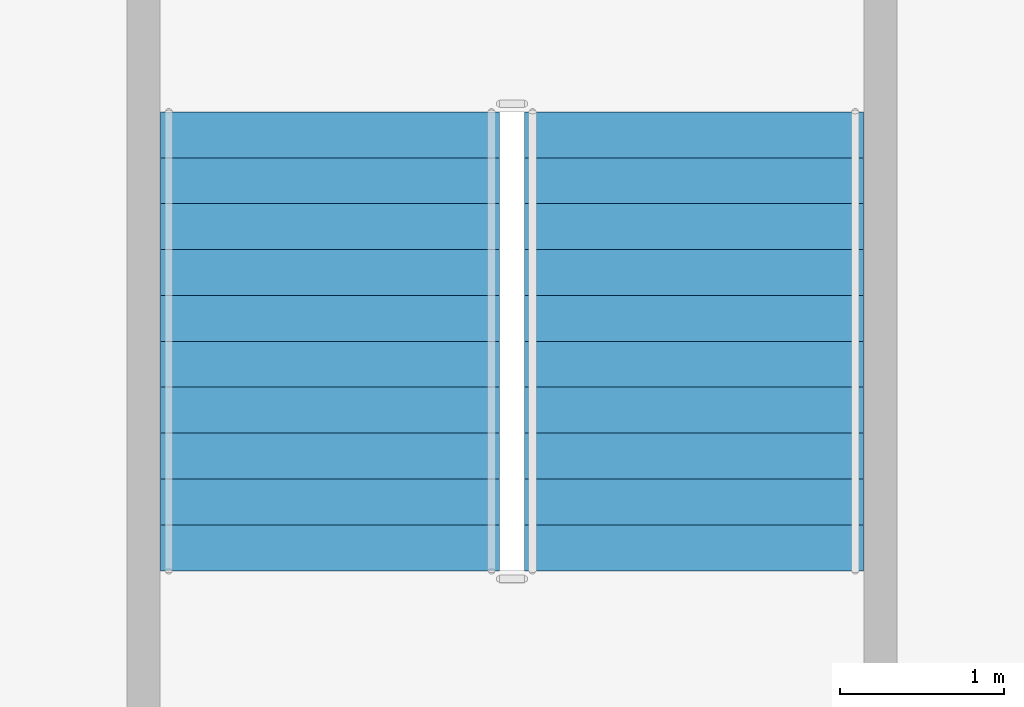
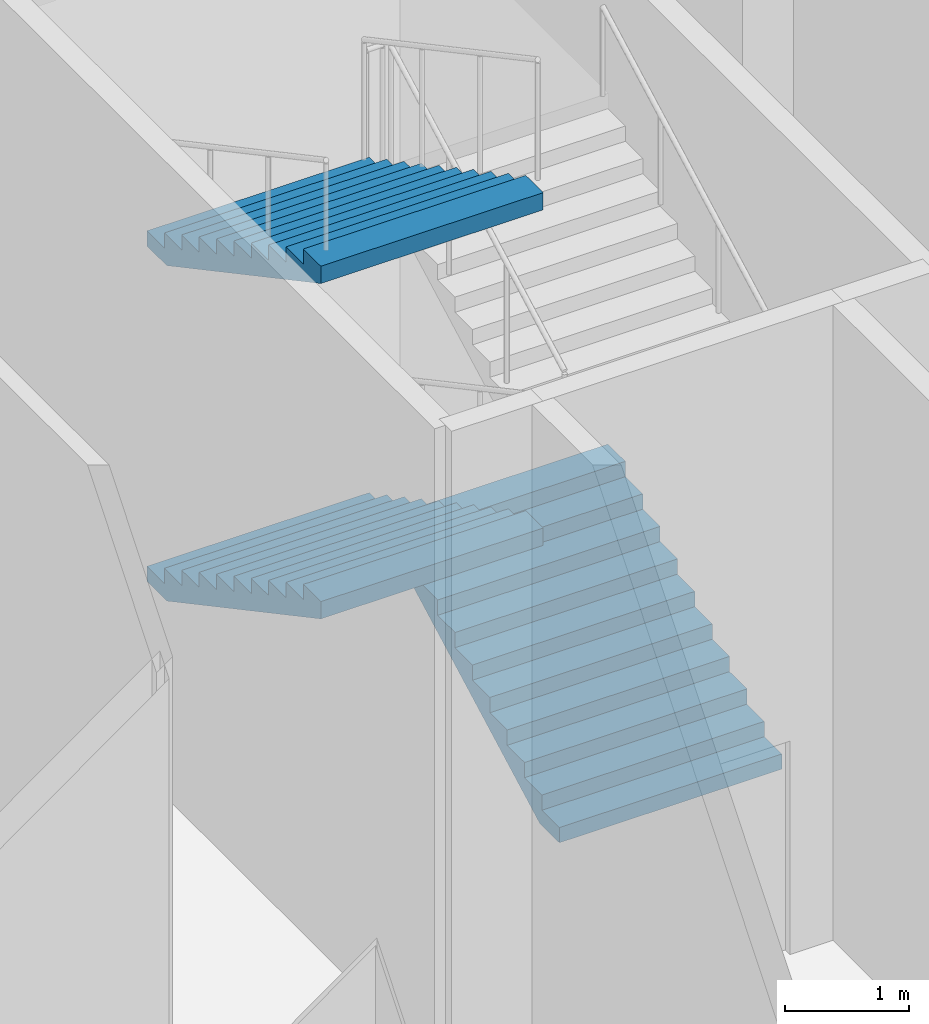
# One storey, part 9 of 26: 3 stair flights, 1 element without a shape of its own.
"""IFC4 building model written with IfcOpenShell, lengths in metres."""

from ifc_helpers import new_model, si_unit, direction, frame, origin, place, context, subcontext, project, spatial, polygons, material, type_object, element, aggregate, save


model = new_model("IFC4")

# Units and contexts
model_context = context("Model", 3, precision=1e-05, world=origin(), true_north=direction((0.0, 1.0)))
body_context = subcontext(model_context, "Body", "Model", "MODEL_VIEW")
ifc_project = project(units=[si_unit("LENGTHUNIT", "METRE"), si_unit("AREAUNIT", "SQUARE_METRE"), si_unit("VOLUMEUNIT", "CUBIC_METRE"), si_unit("PLANEANGLEUNIT", "RADIAN"), si_unit("MASSUNIT", "GRAM", prefix="KILO")], contexts=[model_context])

# Site, building, storey
site_placement = place(None, origin())
site = spatial("IfcSite", under=ifc_project, at=site_placement, CompositionType="ELEMENT")
building_placement = place(site_placement, origin())
building = spatial("IfcBuilding", under=site, at=building_placement, Name="Caravel Reach Hotel and Residences", CompositionType="ELEMENT")
storey_placement = place(building_placement, frame((0.0, 0.0, 17.39990234375)))
storey = spatial("IfcBuildingStorey", under=building, at=storey_placement, Name="L03", CompositionType="ELEMENT", Elevation=17.39990234375)

# Stair, stair flights
ifc_material_1 = material(Name="Concrete C40", Category="concrete")
stair_type = type_object("IfcStairType", Name="Core stair", PredefinedType="HALF_TURN_STAIR", material=ifc_material_1)
stair_placement = place(storey_placement, origin())
stair = element("IfcStair", 1, at=stair_placement, inside=storey, type_object=stair_type, Name="L03 Exit stair P3", PredefinedType="HALF_TURN_STAIR")
ifc_material_2 = material(Name="Concrete C40", Category="concrete")
stair_flight_type = type_object("IfcStairFlightType", Name="Core stair flight", PredefinedType="STRAIGHT", material=ifc_material_2)
stair_flight_1_placement = place(storey_placement, frame((10.110107421875, 13.68994140625, 0.0), z_axis=(0.0, 0.0, 1.0), x_axis=(0.0, 1.0, 0.0)))
stair_flight_1 = element("IfcStairFlight", 2, at=stair_flight_1_placement, type_object=stair_flight_type, Name="ST-P3 flight 1", NumberOfRisers=11, NumberOfTreads=10, PredefinedType="STRAIGHT", RiserHeight=0.15, TreadLength=0.28, context=body_context, shape_type="Tessellation", body=[
    polygons([(0.3174408016601862, 1.0350341796875, 0.0), (0.3174408016601862, 0.6900227864583333, 0.0), (0.3174408016601862, 0.34501139322916663, 0.0), (0.3174408016601862, 0.0, 0.0), (0.3174408016601862, -0.34501139322916674, 0.0), (0.3174408016601862, -0.6900227864583333, 0.0), (0.3174408016601862, -1.0350341796875, 0.0), (2.801, 1.0350341796875, 1.329942427682043), (2.801, 0.6900227864583333, 1.329942427682043), (2.801, 0.34501139322916663, 1.329942427682043), (2.801, 0.0, 1.329942427682043), (2.801, -0.34501139322916674, 1.329942427682043), (2.801, -0.6900227864583333, 1.329942427682043), (2.801, -1.0350341796875, 1.329942427682043), (2.801, 1.0350341796875, 1.5), (2.801, 0.6900227864583333, 1.5), (2.801, 0.34501139322916663, 1.5), (2.801, 0.0, 1.5), (2.801, -0.34501139322916674, 1.5), (2.801, -0.6900227864583333, 1.5), (2.801, -1.0350341796875, 1.5), (2.5200000000000005, 1.0350341796875, 1.5), (2.5200000000000005, 0.6900227864583333, 1.5), (2.5200000000000005, 0.34501139322916663, 1.5), (2.5200000000000005, 0.0, 1.5), (2.5200000000000005, -0.34501139322916674, 1.5), (2.5200000000000005, -0.6900227864583333, 1.5), (2.5200000000000005, -1.0350341796875, 1.5), (2.5200000000000005, 1.0350341796875, 1.3499999999999999), (2.5200000000000005, 0.6900227864583333, 1.3499999999999999), (2.5200000000000005, 0.34501139322916663, 1.3499999999999999), (2.5200000000000005, 0.0, 1.3499999999999999), (2.5200000000000005, -0.34501139322916674, 1.3499999999999999), (2.5200000000000005, -0.6900227864583333, 1.3499999999999999), (2.5200000000000005, -1.0350341796875, 1.3499999999999999), (2.24, 1.0350341796875, 1.3499999999999999), (2.24, 0.6900227864583333, 1.3499999999999999), (2.24, 0.34501139322916663, 1.3499999999999999), (2.24, 0.0, 1.3499999999999999), (2.24, -0.34501139322916674, 1.3499999999999999), (2.24, -0.6900227864583333, 1.3499999999999999), (2.24, -1.0350341796875, 1.3499999999999999), (2.24, 1.0350341796875, 1.2), (2.24, 0.6900227864583333, 1.2), (2.24, 0.34501139322916663, 1.2), (2.24, 0.0, 1.2), (2.24, -0.34501139322916674, 1.2), (2.24, -0.6900227864583333, 1.2), (2.24, -1.0350341796875, 1.2), (1.9600000000000002, 1.0350341796875, 1.2), (1.9600000000000002, 0.6900227864583333, 1.2), (1.9600000000000002, 0.34501139322916663, 1.2), (1.9600000000000002, 0.0, 1.2), (1.9600000000000002, -0.34501139322916674, 1.2), (1.9600000000000002, -0.6900227864583333, 1.2), (1.9600000000000002, -1.0350341796875, 1.2), (1.9600000000000002, 1.0350341796875, 1.05), (1.9600000000000002, 0.6900227864583333, 1.05), (1.9600000000000002, 0.34501139322916663, 1.05), (1.9600000000000002, 0.0, 1.05), (1.9600000000000002, -0.34501139322916674, 1.05), (1.9600000000000002, -0.6900227864583333, 1.05), (1.9600000000000002, -1.0350341796875, 1.05), (1.6800000000000002, 1.0350341796875, 1.05), (1.6800000000000002, 0.6900227864583333, 1.05), (1.6800000000000002, 0.34501139322916663, 1.05), (1.6800000000000002, 0.0, 1.05), (1.6800000000000002, -0.34501139322916674, 1.05), (1.6800000000000002, -0.6900227864583333, 1.05), (1.6800000000000002, -1.0350341796875, 1.05), (1.6800000000000002, 1.0350341796875, 0.8999999999999999), (1.6800000000000002, 0.6900227864583333, 0.8999999999999999), (1.6800000000000002, 0.34501139322916663, 0.8999999999999999), (1.6800000000000002, 0.0, 0.8999999999999999), (1.6800000000000002, -0.34501139322916674, 0.8999999999999999), (1.6800000000000002, -0.6900227864583333, 0.8999999999999999), (1.6800000000000002, -1.0350341796875, 0.8999999999999999), (1.4000000000000001, 1.0350341796875, 0.8999999999999999), (1.4000000000000001, 0.6900227864583333, 0.8999999999999999), (1.4000000000000001, 0.34501139322916663, 0.8999999999999999), (1.4000000000000001, 0.0, 0.8999999999999999), (1.4000000000000001, -0.34501139322916674, 0.8999999999999999), (1.4000000000000001, -0.6900227864583333, 0.8999999999999999), (1.4000000000000001, -1.0350341796875, 0.8999999999999999), (1.4000000000000001, 1.0350341796875, 0.75), (1.4000000000000001, 0.6900227864583333, 0.75), (1.4000000000000001, 0.34501139322916663, 0.75), (1.4000000000000001, 0.0, 0.75), (1.4000000000000001, -0.34501139322916674, 0.75), (1.4000000000000001, -0.6900227864583333, 0.75), (1.4000000000000001, -1.0350341796875, 0.75), (1.12, 1.0350341796875, 0.75), (1.12, 0.6900227864583333, 0.75), (1.12, 0.34501139322916663, 0.75), (1.12, 0.0, 0.75), (1.12, -0.34501139322916674, 0.75), (1.12, -0.6900227864583333, 0.75), (1.12, -1.0350341796875, 0.75), (1.12, 1.0350341796875, 0.6), (1.12, 0.6900227864583333, 0.6), (1.12, 0.34501139322916663, 0.6), (1.12, 0.0, 0.6), (1.12, -0.34501139322916674, 0.6), (1.12, -0.6900227864583333, 0.6), (1.12, -1.0350341796875, 0.6), (0.8400000000000001, 1.0350341796875, 0.6), (0.8400000000000001, 0.6900227864583333, 0.6), (0.8400000000000001, 0.34501139322916663, 0.6), (0.8400000000000001, 0.0, 0.6), (0.8400000000000001, -0.34501139322916674, 0.6), (0.8400000000000001, -0.6900227864583333, 0.6), (0.8400000000000001, -1.0350341796875, 0.6), (0.8400000000000001, 1.0350341796875, 0.44999999999999996), (0.8400000000000001, 0.6900227864583333, 0.44999999999999996), (0.8400000000000001, 0.34501139322916663, 0.44999999999999996), (0.8400000000000001, 0.0, 0.44999999999999996), (0.8400000000000001, -0.34501139322916674, 0.44999999999999996), (0.8400000000000001, -0.6900227864583333, 0.44999999999999996), (0.8400000000000001, -1.0350341796875, 0.44999999999999996), (0.56, 1.0350341796875, 0.44999999999999996), (0.56, 0.6900227864583333, 0.44999999999999996), (0.56, 0.34501139322916663, 0.44999999999999996), (0.56, 0.0, 0.44999999999999996), (0.56, -0.34501139322916674, 0.44999999999999996), (0.56, -0.6900227864583333, 0.44999999999999996), (0.56, -1.0350341796875, 0.44999999999999996), (0.56, 1.0350341796875, 0.3), (0.56, 0.6900227864583333, 0.3), (0.56, 0.34501139322916663, 0.3), (0.56, 0.0, 0.3), (0.56, -0.34501139322916674, 0.3), (0.56, -0.6900227864583333, 0.3), (0.56, -1.0350341796875, 0.3), (0.28, 1.0350341796875, 0.3), (0.28, 0.6900227864583333, 0.3), (0.28, 0.34501139322916663, 0.3), (0.28, 0.0, 0.3), (0.28, -0.34501139322916674, 0.3), (0.28, -0.6900227864583333, 0.3), (0.28, -1.0350341796875, 0.3), (0.28, 1.0350341796875, 0.15), (0.28, 0.6900227864583333, 0.15), (0.28, 0.34501139322916663, 0.15), (0.28, 0.0, 0.15), (0.28, -0.34501139322916674, 0.15), (0.28, -0.6900227864583333, 0.15), (0.28, -1.0350341796875, 0.15), (-0.001, 1.0350341796875, 0.15), (-0.001, 0.6900227864583333, 0.15), (-0.001, 0.34501139322916663, 0.15), (-0.001, 0.0, 0.15), (-0.001, -0.34501139322916674, 0.15), (-0.001, -0.6900227864583333, 0.15), (-0.001, -1.0350341796875, 0.15), (-0.001, 1.0350341796875, 0.0), (-0.001, 0.6900227864583333, 0.0), (-0.001, 0.34501139322916663, 0.0), (-0.001, 0.0, 0.0), (-0.001, -0.34501139322916674, 0.0), (-0.001, -0.6900227864583333, 0.0), (-0.001, -1.0350341796875, 0.0)], [[[155, 148, 141, 134, 127, 120, 113, 106, 99, 92, 85, 78, 71, 64, 57, 50, 43, 36, 29, 22, 15, 8, 1]], [[7, 14, 21, 28, 35, 42, 49, 56, 63, 70, 77, 84, 91, 98, 105, 112, 119, 126, 133, 140, 147, 154, 161]], [[1, 8, 9, 2]], [[2, 9, 10, 3]], [[3, 10, 11, 4]], [[4, 11, 12, 5]], [[5, 12, 13, 6]], [[6, 13, 14, 7]], [[8, 15, 16, 9]], [[9, 16, 17, 10]], [[10, 17, 18, 11]], [[11, 18, 19, 12]], [[12, 19, 20, 13]], [[13, 20, 21, 14]], [[15, 22, 23, 16]], [[16, 23, 24, 17]], [[17, 24, 25, 18]], [[18, 25, 26, 19]], [[19, 26, 27, 20]], [[20, 27, 28, 21]], [[22, 29, 30, 23]], [[23, 30, 31, 24]], [[24, 31, 32, 25]], [[25, 32, 33, 26]], [[26, 33, 34, 27]], [[27, 34, 35, 28]], [[29, 36, 37, 30]], [[30, 37, 38, 31]], [[31, 38, 39, 32]], [[32, 39, 40, 33]], [[33, 40, 41, 34]], [[34, 41, 42, 35]], [[36, 43, 44, 37]], [[37, 44, 45, 38]], [[38, 45, 46, 39]], [[39, 46, 47, 40]], [[40, 47, 48, 41]], [[41, 48, 49, 42]], [[43, 50, 51, 44]], [[44, 51, 52, 45]], [[45, 52, 53, 46]], [[46, 53, 54, 47]], [[47, 54, 55, 48]], [[48, 55, 56, 49]], [[50, 57, 58, 51]], [[51, 58, 59, 52]], [[52, 59, 60, 53]], [[53, 60, 61, 54]], [[54, 61, 62, 55]], [[55, 62, 63, 56]], [[57, 64, 65, 58]], [[58, 65, 66, 59]], [[59, 66, 67, 60]], [[60, 67, 68, 61]], [[61, 68, 69, 62]], [[62, 69, 70, 63]], [[64, 71, 72, 65]], [[65, 72, 73, 66]], [[66, 73, 74, 67]], [[67, 74, 75, 68]], [[68, 75, 76, 69]], [[69, 76, 77, 70]], [[71, 78, 79, 72]], [[72, 79, 80, 73]], [[73, 80, 81, 74]], [[74, 81, 82, 75]], [[75, 82, 83, 76]], [[76, 83, 84, 77]], [[78, 85, 86, 79]], [[79, 86, 87, 80]], [[80, 87, 88, 81]], [[81, 88, 89, 82]], [[82, 89, 90, 83]], [[83, 90, 91, 84]], [[85, 92, 93, 86]], [[86, 93, 94, 87]], [[87, 94, 95, 88]], [[88, 95, 96, 89]], [[89, 96, 97, 90]], [[90, 97, 98, 91]], [[92, 99, 100, 93]], [[93, 100, 101, 94]], [[94, 101, 102, 95]], [[95, 102, 103, 96]], [[96, 103, 104, 97]], [[97, 104, 105, 98]], [[99, 106, 107, 100]], [[100, 107, 108, 101]], [[101, 108, 109, 102]], [[102, 109, 110, 103]], [[103, 110, 111, 104]], [[104, 111, 112, 105]], [[106, 113, 114, 107]], [[107, 114, 115, 108]], [[108, 115, 116, 109]], [[109, 116, 117, 110]], [[110, 117, 118, 111]], [[111, 118, 119, 112]], [[113, 120, 121, 114]], [[114, 121, 122, 115]], [[115, 122, 123, 116]], [[116, 123, 124, 117]], [[117, 124, 125, 118]], [[118, 125, 126, 119]], [[120, 127, 128, 121]], [[121, 128, 129, 122]], [[122, 129, 130, 123]], [[123, 130, 131, 124]], [[124, 131, 132, 125]], [[125, 132, 133, 126]], [[127, 134, 135, 128]], [[128, 135, 136, 129]], [[129, 136, 137, 130]], [[130, 137, 138, 131]], [[131, 138, 139, 132]], [[132, 139, 140, 133]], [[134, 141, 142, 135]], [[135, 142, 143, 136]], [[136, 143, 144, 137]], [[137, 144, 145, 138]], [[138, 145, 146, 139]], [[139, 146, 147, 140]], [[141, 148, 149, 142]], [[142, 149, 150, 143]], [[143, 150, 151, 144]], [[144, 151, 152, 145]], [[145, 152, 153, 146]], [[146, 153, 154, 147]], [[148, 155, 156, 149]], [[149, 156, 157, 150]], [[150, 157, 158, 151]], [[151, 158, 159, 152]], [[152, 159, 160, 153]], [[153, 160, 161, 154]], [[155, 1, 2, 156]], [[156, 2, 3, 157]], [[157, 3, 4, 158]], [[158, 4, 5, 159]], [[159, 5, 6, 160]], [[160, 6, 7, 161]]], closed=True),
])
stair_flight_2_placement = place(storey_placement, frame((7.889892578125, 16.489990234375, 1.650146484375), z_axis=(0.0, 0.0, 1.0), x_axis=(0.0, -1.0, 0.0)))
stair_flight_2 = element("IfcStairFlight", 3, at=stair_flight_2_placement, type_object=stair_flight_type, Name="ST-P3 flight 2", NumberOfRisers=11, NumberOfTreads=10, PredefinedType="STRAIGHT", RiserHeight=0.15, TreadLength=0.28, context=body_context, shape_type="Tessellation", body=[
    polygons([(0.3174408016601862, 1.0350341796875, 0.0), (0.3174408016601862, 0.6900227864583333, 0.0), (0.3174408016601862, 0.34501139322916663, 0.0), (0.3174408016601862, 0.0, 0.0), (0.3174408016601862, -0.34501139322916674, 0.0), (0.3174408016601862, -0.6900227864583333, 0.0), (0.3174408016601862, -1.0350341796875, 0.0), (2.801, 1.0350341796875, 1.329942427682043), (2.801, 0.6900227864583333, 1.329942427682043), (2.801, 0.34501139322916663, 1.329942427682043), (2.801, 0.0, 1.329942427682043), (2.801, -0.34501139322916674, 1.329942427682043), (2.801, -0.6900227864583333, 1.329942427682043), (2.801, -1.0350341796875, 1.329942427682043), (2.801, 1.0350341796875, 1.5), (2.801, 0.6900227864583333, 1.5), (2.801, 0.34501139322916663, 1.5), (2.801, 0.0, 1.5), (2.801, -0.34501139322916674, 1.5), (2.801, -0.6900227864583333, 1.5), (2.801, -1.0350341796875, 1.5), (2.5200000000000005, 1.0350341796875, 1.5), (2.5200000000000005, 0.6900227864583333, 1.5), (2.5200000000000005, 0.34501139322916663, 1.5), (2.5200000000000005, 0.0, 1.5), (2.5200000000000005, -0.34501139322916674, 1.5), (2.5200000000000005, -0.6900227864583333, 1.5), (2.5200000000000005, -1.0350341796875, 1.5), (2.5200000000000005, 1.0350341796875, 1.3499999999999999), (2.5200000000000005, 0.6900227864583333, 1.3499999999999999), (2.5200000000000005, 0.34501139322916663, 1.3499999999999999), (2.5200000000000005, 0.0, 1.3499999999999999), (2.5200000000000005, -0.34501139322916674, 1.3499999999999999), (2.5200000000000005, -0.6900227864583333, 1.3499999999999999), (2.5200000000000005, -1.0350341796875, 1.3499999999999999), (2.24, 1.0350341796875, 1.3499999999999999), (2.24, 0.6900227864583333, 1.3499999999999999), (2.24, 0.34501139322916663, 1.3499999999999999), (2.24, 0.0, 1.3499999999999999), (2.24, -0.34501139322916674, 1.3499999999999999), (2.24, -0.6900227864583333, 1.3499999999999999), (2.24, -1.0350341796875, 1.3499999999999999), (2.24, 1.0350341796875, 1.2), (2.24, 0.6900227864583333, 1.2), (2.24, 0.34501139322916663, 1.2), (2.24, 0.0, 1.2), (2.24, -0.34501139322916674, 1.2), (2.24, -0.6900227864583333, 1.2), (2.24, -1.0350341796875, 1.2), (1.9600000000000002, 1.0350341796875, 1.2), (1.9600000000000002, 0.6900227864583333, 1.2), (1.9600000000000002, 0.34501139322916663, 1.2), (1.9600000000000002, 0.0, 1.2), (1.9600000000000002, -0.34501139322916674, 1.2), (1.9600000000000002, -0.6900227864583333, 1.2), (1.9600000000000002, -1.0350341796875, 1.2), (1.9600000000000002, 1.0350341796875, 1.05), (1.9600000000000002, 0.6900227864583333, 1.05), (1.9600000000000002, 0.34501139322916663, 1.05), (1.9600000000000002, 0.0, 1.05), (1.9600000000000002, -0.34501139322916674, 1.05), (1.9600000000000002, -0.6900227864583333, 1.05), (1.9600000000000002, -1.0350341796875, 1.05), (1.6800000000000002, 1.0350341796875, 1.05), (1.6800000000000002, 0.6900227864583333, 1.05), (1.6800000000000002, 0.34501139322916663, 1.05), (1.6800000000000002, 0.0, 1.05), (1.6800000000000002, -0.34501139322916674, 1.05), (1.6800000000000002, -0.6900227864583333, 1.05), (1.6800000000000002, -1.0350341796875, 1.05), (1.6800000000000002, 1.0350341796875, 0.8999999999999999), (1.6800000000000002, 0.6900227864583333, 0.8999999999999999), (1.6800000000000002, 0.34501139322916663, 0.8999999999999999), (1.6800000000000002, 0.0, 0.8999999999999999), (1.6800000000000002, -0.34501139322916674, 0.8999999999999999), (1.6800000000000002, -0.6900227864583333, 0.8999999999999999), (1.6800000000000002, -1.0350341796875, 0.8999999999999999), (1.4000000000000001, 1.0350341796875, 0.8999999999999999), (1.4000000000000001, 0.6900227864583333, 0.8999999999999999), (1.4000000000000001, 0.34501139322916663, 0.8999999999999999), (1.4000000000000001, 0.0, 0.8999999999999999), (1.4000000000000001, -0.34501139322916674, 0.8999999999999999), (1.4000000000000001, -0.6900227864583333, 0.8999999999999999), (1.4000000000000001, -1.0350341796875, 0.8999999999999999), (1.4000000000000001, 1.0350341796875, 0.75), (1.4000000000000001, 0.6900227864583333, 0.75), (1.4000000000000001, 0.34501139322916663, 0.75), (1.4000000000000001, 0.0, 0.75), (1.4000000000000001, -0.34501139322916674, 0.75), (1.4000000000000001, -0.6900227864583333, 0.75), (1.4000000000000001, -1.0350341796875, 0.75), (1.12, 1.0350341796875, 0.75), (1.12, 0.6900227864583333, 0.75), (1.12, 0.34501139322916663, 0.75), (1.12, 0.0, 0.75), (1.12, -0.34501139322916674, 0.75), (1.12, -0.6900227864583333, 0.75), (1.12, -1.0350341796875, 0.75), (1.12, 1.0350341796875, 0.6), (1.12, 0.6900227864583333, 0.6), (1.12, 0.34501139322916663, 0.6), (1.12, 0.0, 0.6), (1.12, -0.34501139322916674, 0.6), (1.12, -0.6900227864583333, 0.6), (1.12, -1.0350341796875, 0.6), (0.8400000000000001, 1.0350341796875, 0.6), (0.8400000000000001, 0.6900227864583333, 0.6), (0.8400000000000001, 0.34501139322916663, 0.6), (0.8400000000000001, 0.0, 0.6), (0.8400000000000001, -0.34501139322916674, 0.6), (0.8400000000000001, -0.6900227864583333, 0.6), (0.8400000000000001, -1.0350341796875, 0.6), (0.8400000000000001, 1.0350341796875, 0.44999999999999996), (0.8400000000000001, 0.6900227864583333, 0.44999999999999996), (0.8400000000000001, 0.34501139322916663, 0.44999999999999996), (0.8400000000000001, 0.0, 0.44999999999999996), (0.8400000000000001, -0.34501139322916674, 0.44999999999999996), (0.8400000000000001, -0.6900227864583333, 0.44999999999999996), (0.8400000000000001, -1.0350341796875, 0.44999999999999996), (0.56, 1.0350341796875, 0.44999999999999996), (0.56, 0.6900227864583333, 0.44999999999999996), (0.56, 0.34501139322916663, 0.44999999999999996), (0.56, 0.0, 0.44999999999999996), (0.56, -0.34501139322916674, 0.44999999999999996), (0.56, -0.6900227864583333, 0.44999999999999996), (0.56, -1.0350341796875, 0.44999999999999996), (0.56, 1.0350341796875, 0.3), (0.56, 0.6900227864583333, 0.3), (0.56, 0.34501139322916663, 0.3), (0.56, 0.0, 0.3), (0.56, -0.34501139322916674, 0.3), (0.56, -0.6900227864583333, 0.3), (0.56, -1.0350341796875, 0.3), (0.28, 1.0350341796875, 0.3), (0.28, 0.6900227864583333, 0.3), (0.28, 0.34501139322916663, 0.3), (0.28, 0.0, 0.3), (0.28, -0.34501139322916674, 0.3), (0.28, -0.6900227864583333, 0.3), (0.28, -1.0350341796875, 0.3), (0.28, 1.0350341796875, 0.15), (0.28, 0.6900227864583333, 0.15), (0.28, 0.34501139322916663, 0.15), (0.28, 0.0, 0.15), (0.28, -0.34501139322916674, 0.15), (0.28, -0.6900227864583333, 0.15), (0.28, -1.0350341796875, 0.15), (-0.001, 1.0350341796875, 0.15), (-0.001, 0.6900227864583333, 0.15), (-0.001, 0.34501139322916663, 0.15), (-0.001, 0.0, 0.15), (-0.001, -0.34501139322916674, 0.15), (-0.001, -0.6900227864583333, 0.15), (-0.001, -1.0350341796875, 0.15), (-0.001, 1.0350341796875, 0.0), (-0.001, 0.6900227864583333, 0.0), (-0.001, 0.34501139322916663, 0.0), (-0.001, 0.0, 0.0), (-0.001, -0.34501139322916674, 0.0), (-0.001, -0.6900227864583333, 0.0), (-0.001, -1.0350341796875, 0.0)], [[[155, 148, 141, 134, 127, 120, 113, 106, 99, 92, 85, 78, 71, 64, 57, 50, 43, 36, 29, 22, 15, 8, 1]], [[7, 14, 21, 28, 35, 42, 49, 56, 63, 70, 77, 84, 91, 98, 105, 112, 119, 126, 133, 140, 147, 154, 161]], [[1, 8, 9, 2]], [[2, 9, 10, 3]], [[3, 10, 11, 4]], [[4, 11, 12, 5]], [[5, 12, 13, 6]], [[6, 13, 14, 7]], [[8, 15, 16, 9]], [[9, 16, 17, 10]], [[10, 17, 18, 11]], [[11, 18, 19, 12]], [[12, 19, 20, 13]], [[13, 20, 21, 14]], [[15, 22, 23, 16]], [[16, 23, 24, 17]], [[17, 24, 25, 18]], [[18, 25, 26, 19]], [[19, 26, 27, 20]], [[20, 27, 28, 21]], [[22, 29, 30, 23]], [[23, 30, 31, 24]], [[24, 31, 32, 25]], [[25, 32, 33, 26]], [[26, 33, 34, 27]], [[27, 34, 35, 28]], [[29, 36, 37, 30]], [[30, 37, 38, 31]], [[31, 38, 39, 32]], [[32, 39, 40, 33]], [[33, 40, 41, 34]], [[34, 41, 42, 35]], [[36, 43, 44, 37]], [[37, 44, 45, 38]], [[38, 45, 46, 39]], [[39, 46, 47, 40]], [[40, 47, 48, 41]], [[41, 48, 49, 42]], [[43, 50, 51, 44]], [[44, 51, 52, 45]], [[45, 52, 53, 46]], [[46, 53, 54, 47]], [[47, 54, 55, 48]], [[48, 55, 56, 49]], [[50, 57, 58, 51]], [[51, 58, 59, 52]], [[52, 59, 60, 53]], [[53, 60, 61, 54]], [[54, 61, 62, 55]], [[55, 62, 63, 56]], [[57, 64, 65, 58]], [[58, 65, 66, 59]], [[59, 66, 67, 60]], [[60, 67, 68, 61]], [[61, 68, 69, 62]], [[62, 69, 70, 63]], [[64, 71, 72, 65]], [[65, 72, 73, 66]], [[66, 73, 74, 67]], [[67, 74, 75, 68]], [[68, 75, 76, 69]], [[69, 76, 77, 70]], [[71, 78, 79, 72]], [[72, 79, 80, 73]], [[73, 80, 81, 74]], [[74, 81, 82, 75]], [[75, 82, 83, 76]], [[76, 83, 84, 77]], [[78, 85, 86, 79]], [[79, 86, 87, 80]], [[80, 87, 88, 81]], [[81, 88, 89, 82]], [[82, 89, 90, 83]], [[83, 90, 91, 84]], [[85, 92, 93, 86]], [[86, 93, 94, 87]], [[87, 94, 95, 88]], [[88, 95, 96, 89]], [[89, 96, 97, 90]], [[90, 97, 98, 91]], [[92, 99, 100, 93]], [[93, 100, 101, 94]], [[94, 101, 102, 95]], [[95, 102, 103, 96]], [[96, 103, 104, 97]], [[97, 104, 105, 98]], [[99, 106, 107, 100]], [[100, 107, 108, 101]], [[101, 108, 109, 102]], [[102, 109, 110, 103]], [[103, 110, 111, 104]], [[104, 111, 112, 105]], [[106, 113, 114, 107]], [[107, 114, 115, 108]], [[108, 115, 116, 109]], [[109, 116, 117, 110]], [[110, 117, 118, 111]], [[111, 118, 119, 112]], [[113, 120, 121, 114]], [[114, 121, 122, 115]], [[115, 122, 123, 116]], [[116, 123, 124, 117]], [[117, 124, 125, 118]], [[118, 125, 126, 119]], [[120, 127, 128, 121]], [[121, 128, 129, 122]], [[122, 129, 130, 123]], [[123, 130, 131, 124]], [[124, 131, 132, 125]], [[125, 132, 133, 126]], [[127, 134, 135, 128]], [[128, 135, 136, 129]], [[129, 136, 137, 130]], [[130, 137, 138, 131]], [[131, 138, 139, 132]], [[132, 139, 140, 133]], [[134, 141, 142, 135]], [[135, 142, 143, 136]], [[136, 143, 144, 137]], [[137, 144, 145, 138]], [[138, 145, 146, 139]], [[139, 146, 147, 140]], [[141, 148, 149, 142]], [[142, 149, 150, 143]], [[143, 150, 151, 144]], [[144, 151, 152, 145]], [[145, 152, 153, 146]], [[146, 153, 154, 147]], [[148, 155, 156, 149]], [[149, 156, 157, 150]], [[150, 157, 158, 151]], [[151, 158, 159, 152]], [[152, 159, 160, 153]], [[153, 160, 161, 154]], [[155, 1, 2, 156]], [[156, 2, 3, 157]], [[157, 3, 4, 158]], [[158, 4, 5, 159]], [[159, 5, 6, 160]], [[160, 6, 7, 161]]], closed=True),
])
stair_flight_3_placement = place(storey_placement, frame((7.889892578125, 16.489990234375, 4.9501953125), z_axis=(0.0, 0.0, 1.0), x_axis=(0.0, -1.0, 0.0)))
stair_flight_3 = element("IfcStairFlight", 4, at=stair_flight_3_placement, type_object=stair_flight_type, Name="ST-P3 flight 4", NumberOfRisers=11, NumberOfTreads=10, PredefinedType="STRAIGHT", RiserHeight=0.15, TreadLength=0.28, context=body_context, shape_type="Tessellation", body=[
    polygons([(0.3174408016601862, 1.0350341796875, 0.0), (0.3174408016601862, 0.6900227864583333, 0.0), (0.3174408016601862, 0.34501139322916663, 0.0), (0.3174408016601862, 0.0, 0.0), (0.3174408016601862, -0.34501139322916674, 0.0), (0.3174408016601862, -0.6900227864583333, 0.0), (0.3174408016601862, -1.0350341796875, 0.0), (2.801, 1.0350341796875, 1.329942427682043), (2.801, 0.6900227864583333, 1.329942427682043), (2.801, 0.34501139322916663, 1.329942427682043), (2.801, 0.0, 1.329942427682043), (2.801, -0.34501139322916674, 1.329942427682043), (2.801, -0.6900227864583333, 1.329942427682043), (2.801, -1.0350341796875, 1.329942427682043), (2.801, 1.0350341796875, 1.5), (2.801, 0.6900227864583333, 1.5), (2.801, 0.34501139322916663, 1.5), (2.801, 0.0, 1.5), (2.801, -0.34501139322916674, 1.5), (2.801, -0.6900227864583333, 1.5), (2.801, -1.0350341796875, 1.5), (2.5200000000000005, 1.0350341796875, 1.5), (2.5200000000000005, 0.6900227864583333, 1.5), (2.5200000000000005, 0.34501139322916663, 1.5), (2.5200000000000005, 0.0, 1.5), (2.5200000000000005, -0.34501139322916674, 1.5), (2.5200000000000005, -0.6900227864583333, 1.5), (2.5200000000000005, -1.0350341796875, 1.5), (2.5200000000000005, 1.0350341796875, 1.3499999999999999), (2.5200000000000005, 0.6900227864583333, 1.3499999999999999), (2.5200000000000005, 0.34501139322916663, 1.3499999999999999), (2.5200000000000005, 0.0, 1.3499999999999999), (2.5200000000000005, -0.34501139322916674, 1.3499999999999999), (2.5200000000000005, -0.6900227864583333, 1.3499999999999999), (2.5200000000000005, -1.0350341796875, 1.3499999999999999), (2.24, 1.0350341796875, 1.3499999999999999), (2.24, 0.6900227864583333, 1.3499999999999999), (2.24, 0.34501139322916663, 1.3499999999999999), (2.24, 0.0, 1.3499999999999999), (2.24, -0.34501139322916674, 1.3499999999999999), (2.24, -0.6900227864583333, 1.3499999999999999), (2.24, -1.0350341796875, 1.3499999999999999), (2.24, 1.0350341796875, 1.2), (2.24, 0.6900227864583333, 1.2), (2.24, 0.34501139322916663, 1.2), (2.24, 0.0, 1.2), (2.24, -0.34501139322916674, 1.2), (2.24, -0.6900227864583333, 1.2), (2.24, -1.0350341796875, 1.2), (1.9600000000000002, 1.0350341796875, 1.2), (1.9600000000000002, 0.6900227864583333, 1.2), (1.9600000000000002, 0.34501139322916663, 1.2), (1.9600000000000002, 0.0, 1.2), (1.9600000000000002, -0.34501139322916674, 1.2), (1.9600000000000002, -0.6900227864583333, 1.2), (1.9600000000000002, -1.0350341796875, 1.2), (1.9600000000000002, 1.0350341796875, 1.05), (1.9600000000000002, 0.6900227864583333, 1.05), (1.9600000000000002, 0.34501139322916663, 1.05), (1.9600000000000002, 0.0, 1.05), (1.9600000000000002, -0.34501139322916674, 1.05), (1.9600000000000002, -0.6900227864583333, 1.05), (1.9600000000000002, -1.0350341796875, 1.05), (1.6800000000000002, 1.0350341796875, 1.05), (1.6800000000000002, 0.6900227864583333, 1.05), (1.6800000000000002, 0.34501139322916663, 1.05), (1.6800000000000002, 0.0, 1.05), (1.6800000000000002, -0.34501139322916674, 1.05), (1.6800000000000002, -0.6900227864583333, 1.05), (1.6800000000000002, -1.0350341796875, 1.05), (1.6800000000000002, 1.0350341796875, 0.8999999999999999), (1.6800000000000002, 0.6900227864583333, 0.8999999999999999), (1.6800000000000002, 0.34501139322916663, 0.8999999999999999), (1.6800000000000002, 0.0, 0.8999999999999999), (1.6800000000000002, -0.34501139322916674, 0.8999999999999999), (1.6800000000000002, -0.6900227864583333, 0.8999999999999999), (1.6800000000000002, -1.0350341796875, 0.8999999999999999), (1.4000000000000001, 1.0350341796875, 0.8999999999999999), (1.4000000000000001, 0.6900227864583333, 0.8999999999999999), (1.4000000000000001, 0.34501139322916663, 0.8999999999999999), (1.4000000000000001, 0.0, 0.8999999999999999), (1.4000000000000001, -0.34501139322916674, 0.8999999999999999), (1.4000000000000001, -0.6900227864583333, 0.8999999999999999), (1.4000000000000001, -1.0350341796875, 0.8999999999999999), (1.4000000000000001, 1.0350341796875, 0.75), (1.4000000000000001, 0.6900227864583333, 0.75), (1.4000000000000001, 0.34501139322916663, 0.75), (1.4000000000000001, 0.0, 0.75), (1.4000000000000001, -0.34501139322916674, 0.75), (1.4000000000000001, -0.6900227864583333, 0.75), (1.4000000000000001, -1.0350341796875, 0.75), (1.12, 1.0350341796875, 0.75), (1.12, 0.6900227864583333, 0.75), (1.12, 0.34501139322916663, 0.75), (1.12, 0.0, 0.75), (1.12, -0.34501139322916674, 0.75), (1.12, -0.6900227864583333, 0.75), (1.12, -1.0350341796875, 0.75), (1.12, 1.0350341796875, 0.6), (1.12, 0.6900227864583333, 0.6), (1.12, 0.34501139322916663, 0.6), (1.12, 0.0, 0.6), (1.12, -0.34501139322916674, 0.6), (1.12, -0.6900227864583333, 0.6), (1.12, -1.0350341796875, 0.6), (0.8400000000000001, 1.0350341796875, 0.6), (0.8400000000000001, 0.6900227864583333, 0.6), (0.8400000000000001, 0.34501139322916663, 0.6), (0.8400000000000001, 0.0, 0.6), (0.8400000000000001, -0.34501139322916674, 0.6), (0.8400000000000001, -0.6900227864583333, 0.6), (0.8400000000000001, -1.0350341796875, 0.6), (0.8400000000000001, 1.0350341796875, 0.44999999999999996), (0.8400000000000001, 0.6900227864583333, 0.44999999999999996), (0.8400000000000001, 0.34501139322916663, 0.44999999999999996), (0.8400000000000001, 0.0, 0.44999999999999996), (0.8400000000000001, -0.34501139322916674, 0.44999999999999996), (0.8400000000000001, -0.6900227864583333, 0.44999999999999996), (0.8400000000000001, -1.0350341796875, 0.44999999999999996), (0.56, 1.0350341796875, 0.44999999999999996), (0.56, 0.6900227864583333, 0.44999999999999996), (0.56, 0.34501139322916663, 0.44999999999999996), (0.56, 0.0, 0.44999999999999996), (0.56, -0.34501139322916674, 0.44999999999999996), (0.56, -0.6900227864583333, 0.44999999999999996), (0.56, -1.0350341796875, 0.44999999999999996), (0.56, 1.0350341796875, 0.3), (0.56, 0.6900227864583333, 0.3), (0.56, 0.34501139322916663, 0.3), (0.56, 0.0, 0.3), (0.56, -0.34501139322916674, 0.3), (0.56, -0.6900227864583333, 0.3), (0.56, -1.0350341796875, 0.3), (0.28, 1.0350341796875, 0.3), (0.28, 0.6900227864583333, 0.3), (0.28, 0.34501139322916663, 0.3), (0.28, 0.0, 0.3), (0.28, -0.34501139322916674, 0.3), (0.28, -0.6900227864583333, 0.3), (0.28, -1.0350341796875, 0.3), (0.28, 1.0350341796875, 0.15), (0.28, 0.6900227864583333, 0.15), (0.28, 0.34501139322916663, 0.15), (0.28, 0.0, 0.15), (0.28, -0.34501139322916674, 0.15), (0.28, -0.6900227864583333, 0.15), (0.28, -1.0350341796875, 0.15), (-0.001, 1.0350341796875, 0.15), (-0.001, 0.6900227864583333, 0.15), (-0.001, 0.34501139322916663, 0.15), (-0.001, 0.0, 0.15), (-0.001, -0.34501139322916674, 0.15), (-0.001, -0.6900227864583333, 0.15), (-0.001, -1.0350341796875, 0.15), (-0.001, 1.0350341796875, 0.0), (-0.001, 0.6900227864583333, 0.0), (-0.001, 0.34501139322916663, 0.0), (-0.001, 0.0, 0.0), (-0.001, -0.34501139322916674, 0.0), (-0.001, -0.6900227864583333, 0.0), (-0.001, -1.0350341796875, 0.0)], [[[155, 148, 141, 134, 127, 120, 113, 106, 99, 92, 85, 78, 71, 64, 57, 50, 43, 36, 29, 22, 15, 8, 1]], [[7, 14, 21, 28, 35, 42, 49, 56, 63, 70, 77, 84, 91, 98, 105, 112, 119, 126, 133, 140, 147, 154, 161]], [[1, 8, 9, 2]], [[2, 9, 10, 3]], [[3, 10, 11, 4]], [[4, 11, 12, 5]], [[5, 12, 13, 6]], [[6, 13, 14, 7]], [[8, 15, 16, 9]], [[9, 16, 17, 10]], [[10, 17, 18, 11]], [[11, 18, 19, 12]], [[12, 19, 20, 13]], [[13, 20, 21, 14]], [[15, 22, 23, 16]], [[16, 23, 24, 17]], [[17, 24, 25, 18]], [[18, 25, 26, 19]], [[19, 26, 27, 20]], [[20, 27, 28, 21]], [[22, 29, 30, 23]], [[23, 30, 31, 24]], [[24, 31, 32, 25]], [[25, 32, 33, 26]], [[26, 33, 34, 27]], [[27, 34, 35, 28]], [[29, 36, 37, 30]], [[30, 37, 38, 31]], [[31, 38, 39, 32]], [[32, 39, 40, 33]], [[33, 40, 41, 34]], [[34, 41, 42, 35]], [[36, 43, 44, 37]], [[37, 44, 45, 38]], [[38, 45, 46, 39]], [[39, 46, 47, 40]], [[40, 47, 48, 41]], [[41, 48, 49, 42]], [[43, 50, 51, 44]], [[44, 51, 52, 45]], [[45, 52, 53, 46]], [[46, 53, 54, 47]], [[47, 54, 55, 48]], [[48, 55, 56, 49]], [[50, 57, 58, 51]], [[51, 58, 59, 52]], [[52, 59, 60, 53]], [[53, 60, 61, 54]], [[54, 61, 62, 55]], [[55, 62, 63, 56]], [[57, 64, 65, 58]], [[58, 65, 66, 59]], [[59, 66, 67, 60]], [[60, 67, 68, 61]], [[61, 68, 69, 62]], [[62, 69, 70, 63]], [[64, 71, 72, 65]], [[65, 72, 73, 66]], [[66, 73, 74, 67]], [[67, 74, 75, 68]], [[68, 75, 76, 69]], [[69, 76, 77, 70]], [[71, 78, 79, 72]], [[72, 79, 80, 73]], [[73, 80, 81, 74]], [[74, 81, 82, 75]], [[75, 82, 83, 76]], [[76, 83, 84, 77]], [[78, 85, 86, 79]], [[79, 86, 87, 80]], [[80, 87, 88, 81]], [[81, 88, 89, 82]], [[82, 89, 90, 83]], [[83, 90, 91, 84]], [[85, 92, 93, 86]], [[86, 93, 94, 87]], [[87, 94, 95, 88]], [[88, 95, 96, 89]], [[89, 96, 97, 90]], [[90, 97, 98, 91]], [[92, 99, 100, 93]], [[93, 100, 101, 94]], [[94, 101, 102, 95]], [[95, 102, 103, 96]], [[96, 103, 104, 97]], [[97, 104, 105, 98]], [[99, 106, 107, 100]], [[100, 107, 108, 101]], [[101, 108, 109, 102]], [[102, 109, 110, 103]], [[103, 110, 111, 104]], [[104, 111, 112, 105]], [[106, 113, 114, 107]], [[107, 114, 115, 108]], [[108, 115, 116, 109]], [[109, 116, 117, 110]], [[110, 117, 118, 111]], [[111, 118, 119, 112]], [[113, 120, 121, 114]], [[114, 121, 122, 115]], [[115, 122, 123, 116]], [[116, 123, 124, 117]], [[117, 124, 125, 118]], [[118, 125, 126, 119]], [[120, 127, 128, 121]], [[121, 128, 129, 122]], [[122, 129, 130, 123]], [[123, 130, 131, 124]], [[124, 131, 132, 125]], [[125, 132, 133, 126]], [[127, 134, 135, 128]], [[128, 135, 136, 129]], [[129, 136, 137, 130]], [[130, 137, 138, 131]], [[131, 138, 139, 132]], [[132, 139, 140, 133]], [[134, 141, 142, 135]], [[135, 142, 143, 136]], [[136, 143, 144, 137]], [[137, 144, 145, 138]], [[138, 145, 146, 139]], [[139, 146, 147, 140]], [[141, 148, 149, 142]], [[142, 149, 150, 143]], [[143, 150, 151, 144]], [[144, 151, 152, 145]], [[145, 152, 153, 146]], [[146, 153, 154, 147]], [[148, 155, 156, 149]], [[149, 156, 157, 150]], [[150, 157, 158, 151]], [[151, 158, 159, 152]], [[152, 159, 160, 153]], [[153, 160, 161, 154]], [[155, 1, 2, 156]], [[156, 2, 3, 157]], [[157, 3, 4, 158]], [[158, 4, 5, 159]], [[159, 5, 6, 160]], [[160, 6, 7, 161]]], closed=True),
])
aggregate(stair, [stair_flight_1, stair_flight_2, stair_flight_3])

save(model, "model.ifc")
